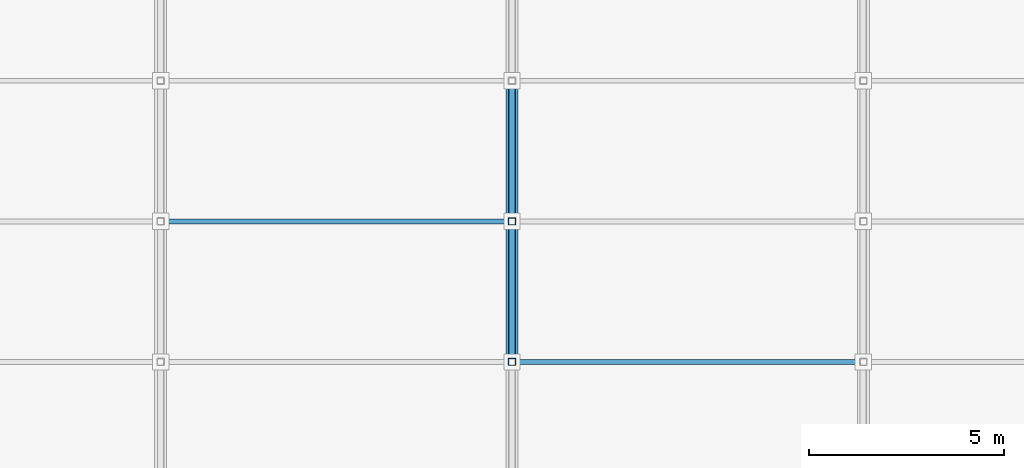
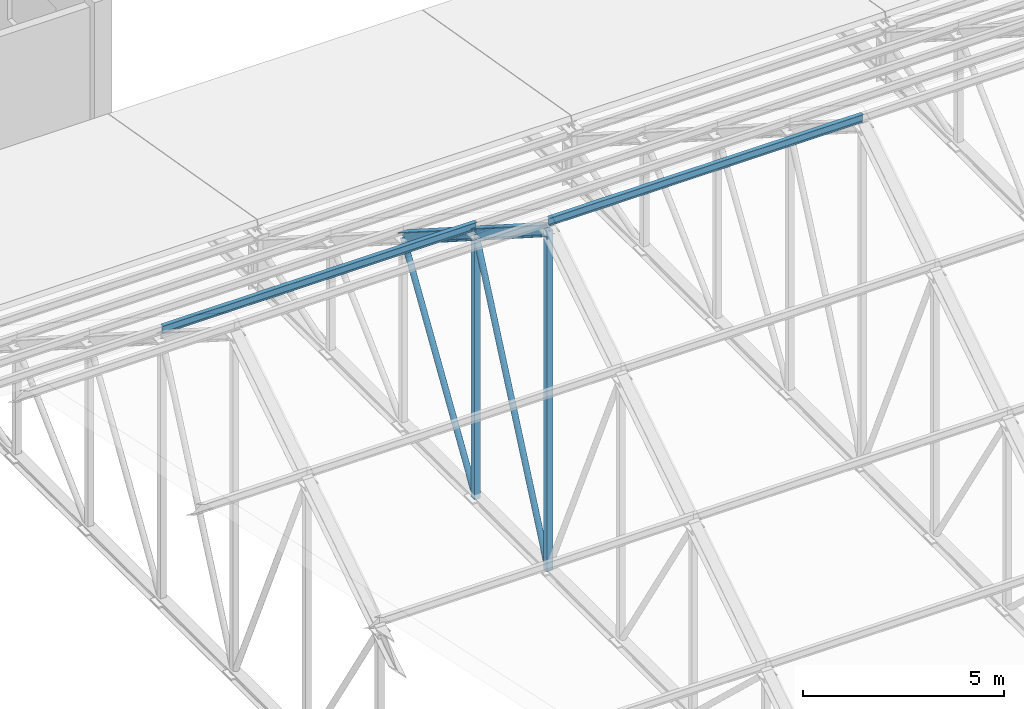
# One storey, part 110 of 182: 8 members.
"""IFC4 building model written with IfcOpenShell, lengths in metres."""

import ifcopenshell
import ifcopenshell.guid

model = None  # the IFC model being written
_history = None  # IfcOwnerHistory: only IFC2X3 demands one
_inside = {}  # id of a spatial element -> (the spatial element, [elements in it])
_under = {}  # id of a project, library or spatial element -> (it, [spatial elements below it])
_declared = {}  # id of a project -> (the project, [libraries it declares])
_typed = {}  # id of a type object -> (the type object, [elements of that type])
_made_of = {}  # id of a material, layer set ... -> (it, [elements and type objects made of it])


def new_model(schema):
    """Start an empty IFC model of exactly this schema.

    Asked for "IFC4X3", IfcOpenShell would pick the latest addendum, in which some entities
    have other attributes; the version numbers below select the first issue.
    IFC2X3 requires an IfcOwnerHistory on every rooted entity: one is made here for all.
    """
    global model, _history
    if schema == "IFC4X3":
        model = ifcopenshell.file(schema_version=(4, 3, 0, 0))
    else:
        model = ifcopenshell.file(schema=schema)
    _inside.clear()
    _under.clear()
    _declared.clear()
    _typed.clear()
    _made_of.clear()
    _history = None
    if model.schema == "IFC2X3":
        org = make("IfcOrganization", Name="unknown")
        user = make(
            "IfcPersonAndOrganization",
            ThePerson=make("IfcPerson", FamilyName="unknown"),
            TheOrganization=org,
        )
        app = make(
            "IfcApplication",
            ApplicationDeveloper=org,
            Version="unknown",
            ApplicationFullName="unknown",
            ApplicationIdentifier="unknown",
        )
        _history = make(
            "IfcOwnerHistory",
            OwningUser=user,
            OwningApplication=app,
            ChangeAction="ADDED",
            CreationDate=0,
        )
    return model


def make(cls, **values):
    """One entity of the class cls with the attributes given. An attribute that is None is left unset."""
    return model.create_entity(
        cls, **{name: value for name, value in values.items() if value is not None}
    )


def rooted(cls, **values):
    """An entity with a GlobalId (a new one), such as an element, a storey or a relation."""
    return make(cls, GlobalId=ifcopenshell.guid.new(), OwnerHistory=_history, **values)


def si_unit(unit_type, name, prefix=None):
    """IfcSIUnit, for example si_unit("LENGTHUNIT", "METRE", prefix="MILLI")."""
    return make("IfcSIUnit", UnitType=unit_type, Prefix=prefix, Name=name)


def assignment(units):
    """IfcUnitAssignment: the units of a project."""
    return None if units is None else make("IfcUnitAssignment", Units=units)


def point(xyz):
    """IfcCartesianPoint."""
    return None if xyz is None else make("IfcCartesianPoint", Coordinates=xyz)


def direction(xyz):
    """IfcDirection."""
    return None if xyz is None else make("IfcDirection", DirectionRatios=xyz)


def frame(location, z_axis=None, x_axis=None):
    """IfcAxis2Placement3D, a coordinate frame: its origin and axes. An axis left out is left unset."""
    return make(
        "IfcAxis2Placement3D",
        Location=point(location),
        Axis=direction(z_axis),
        RefDirection=direction(x_axis),
    )


def frame_2d(location, x_axis=None):
    """IfcAxis2Placement2D, a coordinate frame in the plane: its origin and x axis."""
    return make(
        "IfcAxis2Placement2D", Location=point(location), RefDirection=direction(x_axis)
    )


def origin():
    """The frame at (0, 0, 0) with its axes left unset."""
    return frame((0.0, 0.0, 0.0))


def origin_2d():
    """The frame at (0, 0) in the plane with its x axis left unset."""
    return frame_2d((0.0, 0.0))


def place(relative_to, where):
    """IfcLocalPlacement: puts the frame where relative to a parent placement (None: the world)."""
    return make(
        "IfcLocalPlacement", PlacementRelTo=relative_to, RelativePlacement=where
    )


def context(
    kind, dimensions, precision=None, world=None, true_north=None, identifier=None
):
    """IfcGeometricRepresentationContext, for example the 3D "Model" context."""
    return make(
        "IfcGeometricRepresentationContext",
        ContextIdentifier=identifier,
        ContextType=kind,
        CoordinateSpaceDimension=dimensions,
        Precision=precision,
        WorldCoordinateSystem=world,
        TrueNorth=true_north,
    )


def subcontext(parent, identifier, kind, view, scale=None):
    """IfcGeometricRepresentationSubContext, for example "Body" below "Model"."""
    return make(
        "IfcGeometricRepresentationSubContext",
        ContextIdentifier=identifier,
        ContextType=kind,
        ParentContext=parent,
        TargetScale=scale,
        TargetView=view,
    )


def project(units=None, contexts=None):
    """IfcProject with its units and contexts."""
    return rooted(
        "IfcProject",
        Name="project",
        RepresentationContexts=contexts,
        UnitsInContext=assignment(units),
    )


def spatial(cls, under=None, at=None, **own):
    """A site, building, storey or space (cls), placed at a placement, below another one or the project."""
    s = rooted(cls, ObjectPlacement=at, **own)
    if under is not None:
        _under.setdefault(under.id(), (under, []))[1].append(s)
    return s


def profile(cls, at=None, kind="AREA", **sizes):
    """A parametric profile (cls). Its sizes go by their IFC names, for example OverallWidth=200.0."""
    return make(cls, ProfileType=kind, Position=at, **sizes)


def hollow_rectangle(**sizes):
    """IfcRectangleHollowProfileDef."""
    return profile("IfcRectangleHollowProfileDef", **sizes)


def hollow_circle(**sizes):
    """IfcCircleHollowProfileDef."""
    return profile("IfcCircleHollowProfileDef", **sizes)


def i_section(**sizes):
    """IfcIShapeProfileDef."""
    return profile("IfcIShapeProfileDef", **sizes)


def extrude(swept, where, along, depth):
    """IfcExtrudedAreaSolid: the profile swept, set in the frame where, extruded along a direction by depth."""
    return make(
        "IfcExtrudedAreaSolid",
        SweptArea=swept,
        Position=where,
        ExtrudedDirection=direction(along),
        Depth=depth,
    )


def shape(context_of_items, identifier, shape_type, items):
    """IfcShapeRepresentation: the items that make up one representation, for example the "Body"."""
    return make(
        "IfcShapeRepresentation",
        ContextOfItems=context_of_items,
        RepresentationIdentifier=identifier,
        RepresentationType=shape_type,
        Items=items,
    )


def material(Name=None, Category=None):
    """IfcMaterial."""
    return make("IfcMaterial", Name=Name, Category=Category)


def material_profile(
    of_material, cross_section, Name=None, Category=None, Priority=None
):
    """IfcMaterialProfile: a cross section and its material."""
    return make(
        "IfcMaterialProfile",
        Name=Name,
        Material=of_material,
        Profile=cross_section,
        Priority=Priority,
        Category=Category,
    )


def profile_set(profiles, Name=None, composite=None):
    """IfcMaterialProfileSet."""
    return make(
        "IfcMaterialProfileSet",
        Name=Name,
        MaterialProfiles=profiles,
        CompositeProfile=composite,
    )


def made_of(thing, what):
    """Note that an element or type object is made of a material, layer set ...; save() writes the relation."""
    if what is not None:
        _made_of.setdefault(what.id(), (what, []))[1].append(thing)
    return thing


def type_object(cls, material=None, **own):
    """A type object (cls), such as IfcWallType, which elements share."""
    return made_of(rooted(cls, **own), material)


def element(
    cls,
    number,
    at=None,
    inside=None,
    cuts=None,
    type_object=None,
    material=None,
    context=None,
    identifier="Body",
    shape_type=None,
    held_by="IfcProductDefinitionShape",
    body=None,
    shapes=None,
    **own,
):
    """One element of the class cls, such as IfcWall. Its Tag is "e" and its number.

    at: its placement. inside: the storey or other place that contains it. cuts: it is an
    opening in that element (IfcRelVoidsElement). A single representation is given by context,
    identifier, shape_type and body (its items); several are given by shapes. held_by: the class
    of the entity that holds the representations. save() writes the other relations.
    """
    e = rooted(cls, Tag="e%d" % number, ObjectPlacement=at, **own)
    if body is not None:
        shapes = [shape(context, identifier, shape_type, body)]
    if shapes is not None:
        e.Representation = make(held_by, Representations=shapes)
    if inside is not None:
        _inside.setdefault(inside.id(), (inside, []))[1].append(e)
    if cuts is not None:
        rooted(
            "IfcRelVoidsElement", RelatingBuildingElement=cuts, RelatedOpeningElement=e
        )
    if type_object is not None:
        _typed.setdefault(type_object.id(), (type_object, []))[1].append(e)
    return made_of(e, material)


def aggregate(whole, parts):
    """IfcRelAggregates: a whole, such as a stair, and the parts it consists of."""
    return rooted("IfcRelAggregates", RelatingObject=whole, RelatedObjects=parts)


def save(model, path):
    """Write the relations noted so far, then the file.

    IfcRelAggregates (storeys below a building ...), IfcRelContainedInSpatialStructure (elements
    in a storey), IfcRelDefinesByType, IfcRelAssociatesMaterial and IfcRelDeclares: one each for
    every whole, place, type object, material and project.
    """
    for whole, parts in _under.values():
        aggregate(whole, parts)
    for where, things in _inside.values():
        rooted(
            "IfcRelContainedInSpatialStructure",
            RelatedElements=things,
            RelatingStructure=where,
        )
    for kind, things in _typed.values():
        rooted("IfcRelDefinesByType", RelatedObjects=things, RelatingType=kind)
    for what, things in _made_of.values():
        rooted("IfcRelAssociatesMaterial", RelatedObjects=things, RelatingMaterial=what)
    for by, libraries in _declared.values():
        rooted("IfcRelDeclares", RelatingContext=by, RelatedDefinitions=libraries)
    model.write(path)


model = new_model("IFC4")

# Units and contexts
model_context = context("Model", 3, precision=1e-05, world=origin(), true_north=direction((0.0, 1.0)))
body_context = subcontext(model_context, "Body", "Model", "MODEL_VIEW")
ifc_project = project(units=[si_unit("LENGTHUNIT", "METRE"), si_unit("AREAUNIT", "SQUARE_METRE"), si_unit("VOLUMEUNIT", "CUBIC_METRE"), si_unit("PLANEANGLEUNIT", "RADIAN"), si_unit("MASSUNIT", "GRAM", prefix="KILO")], contexts=[model_context])

# Site, building, storey
site_placement = place(None, origin())
site = spatial("IfcSite", under=ifc_project, at=site_placement, CompositionType="ELEMENT")
building_placement = place(site_placement, origin())
building = spatial("IfcBuilding", under=site, at=building_placement, Name="Chiffa Square Polytechnic", CompositionType="ELEMENT")
storey_placement = place(building_placement, frame((0.0, 0.0, 9.60009765625)))
storey = spatial("IfcBuildingStorey", under=building, at=storey_placement, Name="L02", CompositionType="ELEMENT", Elevation=9.60009765625)

# Members
ifc_material = material(Name="Steel S355", Category="steel")
ifc_material_profile_1 = material_profile(ifc_material, i_section(OverallWidth=0.300048828125, OverallDepth=0.31005859375, WebThickness=0.009033203125, FlangeThickness=0.015380859375, FilletRadius=0.027099609375, at=origin_2d()), Name="HEA 320")
ifc_profile_set_1 = profile_set([ifc_material_profile_1], Name="Steel S355")
member_type_1 = type_object("IfcMemberType", Name="MEM-CHORD-HEA320", PredefinedType="CHORD", material=ifc_profile_set_1)
member_1_placement = place(storey_placement, frame((148.199951171875, 72.60009765625, 10.64990234375), z_axis=(0.0, 0.842681134223, -0.538412951205), x_axis=(-1.0, 0.0, 0.0)))
element("IfcMember", 1, at=member_1_placement, inside=storey, type_object=member_type_1, Name="Workshop roof truss top chord TCT-V2-05-05", PredefinedType="CHORD", context=body_context, shape_type="SweptSolid", body=[
    extrude(i_section(OverallWidth=0.300048828125, OverallDepth=0.31005859375, WebThickness=0.009033203125, FlangeThickness=0.015380859375, FilletRadius=0.027099609375, at=origin_2d()), origin(), (0.0, 0.0, 1.0), 4.27197265625),
])
member_2_placement = place(storey_placement, frame((148.199951171875, 76.199951171875, 8.349853515625), z_axis=(0.0, 0.84269770024, -0.538387022512), x_axis=(-1.0, 0.0, 0.0)))
element("IfcMember", 2, at=member_2_placement, inside=storey, type_object=member_type_1, Name="Workshop roof truss top chord TCT-V2-05-06", PredefinedType="CHORD", context=body_context, shape_type="SweptSolid", body=[
    extrude(i_section(OverallWidth=0.300048828125, OverallDepth=0.31005859375, WebThickness=0.009033203125, FlangeThickness=0.015380859375, FilletRadius=0.027099609375, at=origin_2d()), origin(), (0.0, 0.0, 1.0), 4.272216796875),
])
ifc_material_profile_2 = material_profile(ifc_material, i_section(OverallWidth=0.1201171875, OverallDepth=0.239990234375, WebThickness=0.006103515625, FlangeThickness=0.009765625, FilletRadius=0.014892578125, at=origin_2d()), Name="IPE 240")
ifc_profile_set_2 = profile_set([ifc_material_profile_2], Name="Steel S355")
member_type_2 = type_object("IfcMemberType", Name="MEM-PUR-IPE240", PredefinedType="PURLIN", material=ifc_profile_set_2)
for number, where, z_axis, x_axis, name in (
    (3, (139.199951171875, 76.199951171875, 8.599853515625), (1.0, 0.0, 0.0), (0.0, 1.0, 0.0), "Workshop steel roof purlin PU-V2-04-06"),
    (4, (148.199951171875, 72.60009765625, 10.89990234375), (1.0, 0.0, 0.0), (0.0, 1.0, 0.0), "Workshop steel roof purlin PU-V2-05-05"),
):
    element("IfcMember", number, at=place(storey_placement, frame(where, z_axis=z_axis, x_axis=x_axis)), inside=storey, type_object=member_type_2, Name=name, PredefinedType="PURLIN", context=body_context, shape_type="SweptSolid", body=[
        extrude(i_section(OverallWidth=0.1201171875, OverallDepth=0.239990234375, WebThickness=0.006103515625, FlangeThickness=0.009765625, FilletRadius=0.014892578125, at=origin_2d()), origin(), (0.0, 0.0, 1.0), 9.0),
    ])
ifc_material_profile_3 = material_profile(ifc_material, hollow_circle(Radius=0.084228515625, WallThickness=0.010009765625, at=origin_2d()), Name="CHS 168.3x10")
ifc_profile_set_3 = profile_set([ifc_material_profile_3], Name="Steel S355")
member_type_3 = type_object("IfcMemberType", Name="MEM-WEB-CHS168", PredefinedType="MEMBER", material=ifc_profile_set_3)
member_3_placement = place(storey_placement, frame((148.199951171875, 72.60009765625, 0.349853515625), z_axis=(0.0, 0.410350791297, 0.911927753762), x_axis=(-1.0, 0.0, 0.0)))
element("IfcMember", 5, at=member_3_placement, inside=storey, type_object=member_type_3, Name="Workshop roof truss diagonal TWD-V2-05-05", PredefinedType="MEMBER", context=body_context, shape_type="SweptSolid", body=[
    extrude(hollow_circle(Radius=0.084228515625, WallThickness=0.010009765625, at=origin_2d()), origin(), (0.0, 0.0, 1.0), 8.772705078125),
])
member_4_placement = place(storey_placement, frame((148.199951171875, 76.199951171875, 0.349853515625), z_axis=(0.0, 0.53400661626, 0.845480297695), x_axis=(-1.0, 0.0, 0.0)))
element("IfcMember", 6, at=member_4_placement, inside=storey, type_object=member_type_3, Name="Workshop roof truss diagonal TWD-V2-05-06", PredefinedType="MEMBER", context=body_context, shape_type="SweptSolid", body=[
    extrude(hollow_circle(Radius=0.084228515625, WallThickness=0.010009765625, at=origin_2d()), origin(), (0.0, 0.0, 1.0), 6.74169921875),
])
ifc_material_profile_4 = material_profile(ifc_material, hollow_rectangle(XDim=0.179931640625, YDim=0.179931640625, WallThickness=0.010009765625, at=origin_2d()), Name="RHS 180x180x10")
ifc_profile_set_4 = profile_set([ifc_material_profile_4], Name="Steel S355")
member_type_4 = type_object("IfcMemberType", Name="MEM-WEB-RHS180", PredefinedType="MEMBER", material=ifc_profile_set_4)
member_5_placement = place(storey_placement, frame((148.199951171875, 72.60009765625, 0.349853515625), z_axis=(0.0, 0.0, 1.0), x_axis=(1.0, 0.0, 0.0)))
element("IfcMember", 7, at=member_5_placement, inside=storey, type_object=member_type_4, Name="Workshop roof truss vertical TWV-V2-05-05", PredefinedType="MEMBER", context=body_context, shape_type="SweptSolid", body=[
    extrude(hollow_rectangle(XDim=0.179931640625, YDim=0.179931640625, WallThickness=0.010009765625, at=origin_2d()), origin(), (0.0, 0.0, 1.0), 10.300048828125),
])
member_6_placement = place(storey_placement, frame((148.199951171875, 76.199951171875, 0.349853515625), z_axis=(0.0, 0.0, 1.0), x_axis=(1.0, 0.0, 0.0)))
element("IfcMember", 8, at=member_6_placement, inside=storey, type_object=member_type_4, Name="Workshop roof truss vertical TWV-V2-05-06", PredefinedType="MEMBER", context=body_context, shape_type="SweptSolid", body=[
    extrude(hollow_rectangle(XDim=0.179931640625, YDim=0.179931640625, WallThickness=0.010009765625, at=origin_2d()), origin(), (0.0, 0.0, 1.0), 8.0),
])

save(model, "model.ifc")
